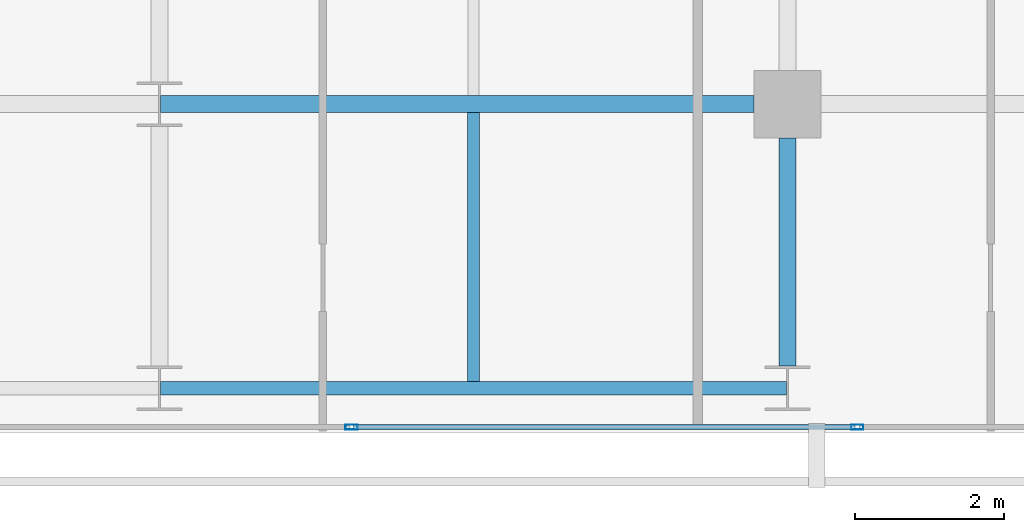
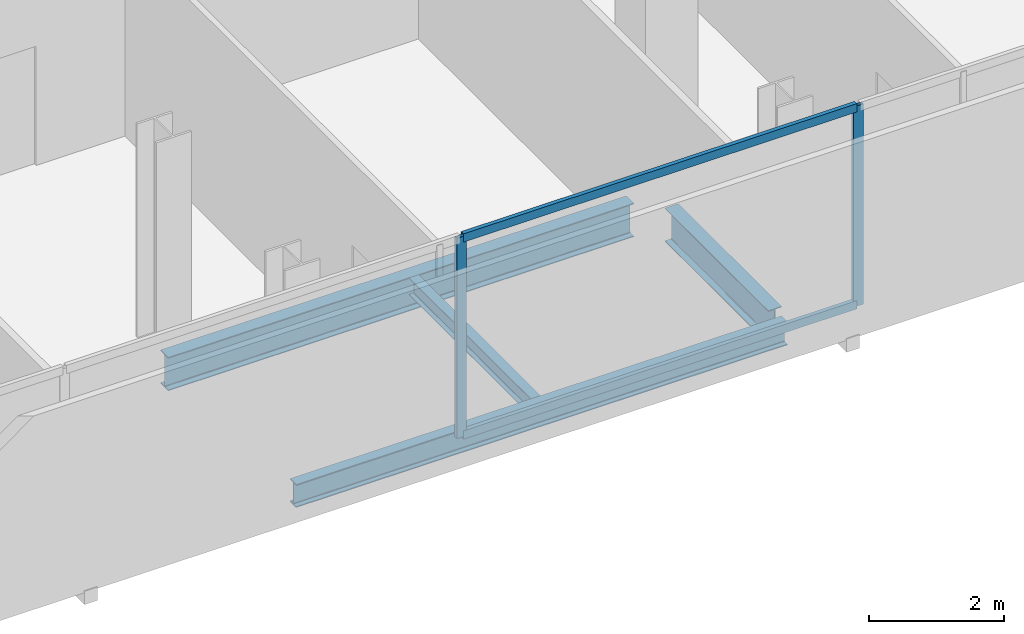
# One storey, part 12 of 34: 4 beams, 4 members, 1 element without a shape of its own.
"""IFC4 building model written with IfcOpenShell, lengths in metres."""

import ifcopenshell
import ifcopenshell.guid

model = None  # the IFC model being written
_history = None  # IfcOwnerHistory: only IFC2X3 demands one
_inside = {}  # id of a spatial element -> (the spatial element, [elements in it])
_under = {}  # id of a project, library or spatial element -> (it, [spatial elements below it])
_declared = {}  # id of a project -> (the project, [libraries it declares])
_typed = {}  # id of a type object -> (the type object, [elements of that type])
_made_of = {}  # id of a material, layer set ... -> (it, [elements and type objects made of it])


def new_model(schema):
    """Start an empty IFC model of exactly this schema.

    Asked for "IFC4X3", IfcOpenShell would pick the latest addendum, in which some entities
    have other attributes; the version numbers below select the first issue.
    IFC2X3 requires an IfcOwnerHistory on every rooted entity: one is made here for all.
    """
    global model, _history
    if schema == "IFC4X3":
        model = ifcopenshell.file(schema_version=(4, 3, 0, 0))
    else:
        model = ifcopenshell.file(schema=schema)
    _inside.clear()
    _under.clear()
    _declared.clear()
    _typed.clear()
    _made_of.clear()
    _history = None
    if model.schema == "IFC2X3":
        org = make("IfcOrganization", Name="unknown")
        user = make(
            "IfcPersonAndOrganization",
            ThePerson=make("IfcPerson", FamilyName="unknown"),
            TheOrganization=org,
        )
        app = make(
            "IfcApplication",
            ApplicationDeveloper=org,
            Version="unknown",
            ApplicationFullName="unknown",
            ApplicationIdentifier="unknown",
        )
        _history = make(
            "IfcOwnerHistory",
            OwningUser=user,
            OwningApplication=app,
            ChangeAction="ADDED",
            CreationDate=0,
        )
    return model


def make(cls, **values):
    """One entity of the class cls with the attributes given. An attribute that is None is left unset."""
    return model.create_entity(
        cls, **{name: value for name, value in values.items() if value is not None}
    )


def rooted(cls, **values):
    """An entity with a GlobalId (a new one), such as an element, a storey or a relation."""
    return make(cls, GlobalId=ifcopenshell.guid.new(), OwnerHistory=_history, **values)


def si_unit(unit_type, name, prefix=None):
    """IfcSIUnit, for example si_unit("LENGTHUNIT", "METRE", prefix="MILLI")."""
    return make("IfcSIUnit", UnitType=unit_type, Prefix=prefix, Name=name)


def assignment(units):
    """IfcUnitAssignment: the units of a project."""
    return None if units is None else make("IfcUnitAssignment", Units=units)


def point(xyz):
    """IfcCartesianPoint."""
    return None if xyz is None else make("IfcCartesianPoint", Coordinates=xyz)


def direction(xyz):
    """IfcDirection."""
    return None if xyz is None else make("IfcDirection", DirectionRatios=xyz)


def frame(location, z_axis=None, x_axis=None):
    """IfcAxis2Placement3D, a coordinate frame: its origin and axes. An axis left out is left unset."""
    return make(
        "IfcAxis2Placement3D",
        Location=point(location),
        Axis=direction(z_axis),
        RefDirection=direction(x_axis),
    )


def frame_2d(location, x_axis=None):
    """IfcAxis2Placement2D, a coordinate frame in the plane: its origin and x axis."""
    return make(
        "IfcAxis2Placement2D", Location=point(location), RefDirection=direction(x_axis)
    )


def origin():
    """The frame at (0, 0, 0) with its axes left unset."""
    return frame((0.0, 0.0, 0.0))


def origin_2d():
    """The frame at (0, 0) in the plane with its x axis left unset."""
    return frame_2d((0.0, 0.0))


def place(relative_to, where):
    """IfcLocalPlacement: puts the frame where relative to a parent placement (None: the world)."""
    return make(
        "IfcLocalPlacement", PlacementRelTo=relative_to, RelativePlacement=where
    )


def context(
    kind, dimensions, precision=None, world=None, true_north=None, identifier=None
):
    """IfcGeometricRepresentationContext, for example the 3D "Model" context."""
    return make(
        "IfcGeometricRepresentationContext",
        ContextIdentifier=identifier,
        ContextType=kind,
        CoordinateSpaceDimension=dimensions,
        Precision=precision,
        WorldCoordinateSystem=world,
        TrueNorth=true_north,
    )


def subcontext(parent, identifier, kind, view, scale=None):
    """IfcGeometricRepresentationSubContext, for example "Body" below "Model"."""
    return make(
        "IfcGeometricRepresentationSubContext",
        ContextIdentifier=identifier,
        ContextType=kind,
        ParentContext=parent,
        TargetScale=scale,
        TargetView=view,
    )


def project(units=None, contexts=None):
    """IfcProject with its units and contexts."""
    return rooted(
        "IfcProject",
        Name="project",
        RepresentationContexts=contexts,
        UnitsInContext=assignment(units),
    )


def spatial(cls, under=None, at=None, **own):
    """A site, building, storey or space (cls), placed at a placement, below another one or the project."""
    s = rooted(cls, ObjectPlacement=at, **own)
    if under is not None:
        _under.setdefault(under.id(), (under, []))[1].append(s)
    return s


def profile(cls, at=None, kind="AREA", **sizes):
    """A parametric profile (cls). Its sizes go by their IFC names, for example OverallWidth=200.0."""
    return make(cls, ProfileType=kind, Position=at, **sizes)


def hollow_rectangle(**sizes):
    """IfcRectangleHollowProfileDef."""
    return profile("IfcRectangleHollowProfileDef", **sizes)


def i_section(**sizes):
    """IfcIShapeProfileDef."""
    return profile("IfcIShapeProfileDef", **sizes)


def extrude(swept, where, along, depth):
    """IfcExtrudedAreaSolid: the profile swept, set in the frame where, extruded along a direction by depth."""
    return make(
        "IfcExtrudedAreaSolid",
        SweptArea=swept,
        Position=where,
        ExtrudedDirection=direction(along),
        Depth=depth,
    )


def shape(context_of_items, identifier, shape_type, items):
    """IfcShapeRepresentation: the items that make up one representation, for example the "Body"."""
    return make(
        "IfcShapeRepresentation",
        ContextOfItems=context_of_items,
        RepresentationIdentifier=identifier,
        RepresentationType=shape_type,
        Items=items,
    )


def material(Name=None, Category=None):
    """IfcMaterial."""
    return make("IfcMaterial", Name=Name, Category=Category)


def layer(
    of_material, thickness, ventilated=None, Name=None, Category=None, Priority=None
):
    """IfcMaterialLayer: one layer of a wall or slab, of a material (None: an air gap)."""
    return make(
        "IfcMaterialLayer",
        Material=of_material,
        LayerThickness=thickness,
        IsVentilated=ventilated,
        Name=Name,
        Category=Category,
        Priority=Priority,
    )


def layer_set(layers, Name=None):
    """IfcMaterialLayerSet."""
    return make("IfcMaterialLayerSet", MaterialLayers=layers, LayerSetName=Name)


def material_profile(
    of_material, cross_section, Name=None, Category=None, Priority=None
):
    """IfcMaterialProfile: a cross section and its material."""
    return make(
        "IfcMaterialProfile",
        Name=Name,
        Material=of_material,
        Profile=cross_section,
        Priority=Priority,
        Category=Category,
    )


def profile_set(profiles, Name=None, composite=None):
    """IfcMaterialProfileSet."""
    return make(
        "IfcMaterialProfileSet",
        Name=Name,
        MaterialProfiles=profiles,
        CompositeProfile=composite,
    )


def made_of(thing, what):
    """Note that an element or type object is made of a material, layer set ...; save() writes the relation."""
    if what is not None:
        _made_of.setdefault(what.id(), (what, []))[1].append(thing)
    return thing


def type_object(cls, material=None, **own):
    """A type object (cls), such as IfcWallType, which elements share."""
    return made_of(rooted(cls, **own), material)


def element(
    cls,
    number,
    at=None,
    inside=None,
    cuts=None,
    type_object=None,
    material=None,
    context=None,
    identifier="Body",
    shape_type=None,
    held_by="IfcProductDefinitionShape",
    body=None,
    shapes=None,
    **own,
):
    """One element of the class cls, such as IfcWall. Its Tag is "e" and its number.

    at: its placement. inside: the storey or other place that contains it. cuts: it is an
    opening in that element (IfcRelVoidsElement). A single representation is given by context,
    identifier, shape_type and body (its items); several are given by shapes. held_by: the class
    of the entity that holds the representations. save() writes the other relations.
    """
    e = rooted(cls, Tag="e%d" % number, ObjectPlacement=at, **own)
    if body is not None:
        shapes = [shape(context, identifier, shape_type, body)]
    if shapes is not None:
        e.Representation = make(held_by, Representations=shapes)
    if inside is not None:
        _inside.setdefault(inside.id(), (inside, []))[1].append(e)
    if cuts is not None:
        rooted(
            "IfcRelVoidsElement", RelatingBuildingElement=cuts, RelatedOpeningElement=e
        )
    if type_object is not None:
        _typed.setdefault(type_object.id(), (type_object, []))[1].append(e)
    return made_of(e, material)


def aggregate(whole, parts):
    """IfcRelAggregates: a whole, such as a stair, and the parts it consists of."""
    return rooted("IfcRelAggregates", RelatingObject=whole, RelatedObjects=parts)


def save(model, path):
    """Write the relations noted so far, then the file.

    IfcRelAggregates (storeys below a building ...), IfcRelContainedInSpatialStructure (elements
    in a storey), IfcRelDefinesByType, IfcRelAssociatesMaterial and IfcRelDeclares: one each for
    every whole, place, type object, material and project.
    """
    for whole, parts in _under.values():
        aggregate(whole, parts)
    for where, things in _inside.values():
        rooted(
            "IfcRelContainedInSpatialStructure",
            RelatedElements=things,
            RelatingStructure=where,
        )
    for kind, things in _typed.values():
        rooted("IfcRelDefinesByType", RelatedObjects=things, RelatingType=kind)
    for what, things in _made_of.values():
        rooted("IfcRelAssociatesMaterial", RelatedObjects=things, RelatingMaterial=what)
    for by, libraries in _declared.values():
        rooted("IfcRelDeclares", RelatingContext=by, RelatedDefinitions=libraries)
    model.write(path)


model = new_model("IFC4")

# Units and contexts
model_context = context("Model", 3, precision=1e-05, world=origin(), true_north=direction((0.0, 1.0)))
body_context = subcontext(model_context, "Body", "Model", "MODEL_VIEW")
ifc_project = project(units=[si_unit("LENGTHUNIT", "METRE"), si_unit("AREAUNIT", "SQUARE_METRE"), si_unit("VOLUMEUNIT", "CUBIC_METRE"), si_unit("PLANEANGLEUNIT", "RADIAN"), si_unit("MASSUNIT", "GRAM", prefix="KILO")], contexts=[model_context])

# Site, building, storey
site_placement = place(None, origin())
site = spatial("IfcSite", under=ifc_project, at=site_placement, CompositionType="ELEMENT")
building_placement = place(site_placement, origin())
building = spatial("IfcBuilding", under=site, at=building_placement, Name="Maruvema Waterfront Hotel and Observation Tower", CompositionType="ELEMENT")
storey_placement = place(building_placement, frame((0.0, 0.0, 189.0)))
storey = spatial("IfcBuildingStorey", under=building, at=storey_placement, Name="L46", CompositionType="ELEMENT", Elevation=189.0)

# Curtain wall, members
ifc_material_1 = material(Name="Anodised bronze aluminium and solar-control low-E IGU", Category="aluminium")
ifc_layer = layer(ifc_material_1, 0.159912109375, Name="Zone 2 Amber Inner Thermal Curtain Wall System CW-03")
ifc_layer_set = layer_set([ifc_layer], Name="Anodised bronze aluminium and solar-control low-E IGU")
curtain_wall_type = type_object("IfcCurtainWallType", Name="Zone 2 Amber Inner Thermal Curtain Wall System CW-03", PredefinedType="USERDEFINED", material=ifc_layer_set)
curtain_wall_placement = place(storey_placement, origin())
curtain_wall = element("IfcCurtainWall", 1, at=curtain_wall_placement, inside=storey, type_object=curtain_wall_type, Name="L46 Curtain Wall CW-L46-S", ObjectType="UNITISED CURTAIN WALL", PredefinedType="USERDEFINED")
ifc_material_2 = material(Name="Anodised architectural bronze aluminium", Category="aluminium")
ifc_material_profile_1 = material_profile(ifc_material_2, hollow_rectangle(XDim=0.070068359375, YDim=0.14990234375, WallThickness=0.00390625, at=origin_2d()), Name="ALU-T70x150")
ifc_profile_set_1 = profile_set([ifc_material_profile_1], Name="Anodised architectural bronze aluminium")
member_type_1 = type_object("IfcMemberType", Name="Curtain Wall Horizontal Transom ALU-T70x150", PredefinedType="USERDEFINED", material=ifc_profile_set_1)
member_1_placement = place(storey_placement, frame((44.5966796875, 4.679931640625, 0.030029296875), z_axis=(1.0, 0.0, 0.0), x_axis=(0.0, 1.0, 0.0)))
member_1 = element("IfcMember", 2, at=member_1_placement, type_object=member_type_1, Name="CW-03 transom 5.1", ObjectType="TRANSOM", PredefinedType="USERDEFINED", context=body_context, shape_type="SweptSolid", body=[
    extrude(hollow_rectangle(XDim=0.070068359375, YDim=0.14990234375, WallThickness=0.00390625, at=origin_2d()), origin(), (0.0, 0.0, 1.0), 6.70654296875),
])
member_2_placement = place(storey_placement, frame((44.5966796875, 4.679931640625, 3.580078125), z_axis=(1.0, 0.0, 0.0), x_axis=(0.0, 1.0, 0.0)))
member_2 = element("IfcMember", 3, at=member_2_placement, type_object=member_type_1, Name="CW-03 transom 5.2", ObjectType="TRANSOM", PredefinedType="USERDEFINED", context=body_context, shape_type="SweptSolid", body=[
    extrude(hollow_rectangle(XDim=0.070068359375, YDim=0.14990234375, WallThickness=0.00390625, at=origin_2d()), origin(), (0.0, 0.0, 1.0), 6.70654296875),
])
ifc_material_3 = material(Name="Anodised architectural bronze aluminium", Category="aluminium")
ifc_material_profile_2 = material_profile(ifc_material_3, hollow_rectangle(XDim=0.06494140625, YDim=0.1650390625, WallThickness=0.00390625, at=origin_2d()), Name="ALU-M65x165")
ifc_profile_set_2 = profile_set([ifc_material_profile_2], Name="Anodised architectural bronze aluminium")
member_type_2 = type_object("IfcMemberType", Name="Curtain Wall Primary Mullion ALU-M65x165", PredefinedType="MULLION", material=ifc_profile_set_2)
member_3_placement = place(storey_placement, frame((44.566650390625, 4.679931640625, 0.0), z_axis=(0.0, 0.0, 1.0), x_axis=(0.0, 1.0, 0.0)))
member_3 = element("IfcMember", 4, at=member_3_placement, type_object=member_type_2, Name="CW-03 mullion 5", PredefinedType="MULLION", context=body_context, shape_type="SweptSolid", body=[
    extrude(hollow_rectangle(XDim=0.06494140625, YDim=0.1650390625, WallThickness=0.00390625, at=origin_2d()), origin(), (0.0, 0.0, 1.0), 3.610107421875),
])
member_4_placement = place(storey_placement, frame((51.333251953125, 4.679931640625, 0.0), z_axis=(0.0, 0.0, 1.0), x_axis=(0.0, 1.0, 0.0)))
member_4 = element("IfcMember", 5, at=member_4_placement, type_object=member_type_2, Name="CW-03 mullion 6", PredefinedType="MULLION", context=body_context, shape_type="SweptSolid", body=[
    extrude(hollow_rectangle(XDim=0.06494140625, YDim=0.1650390625, WallThickness=0.00390625, at=origin_2d()), origin(), (0.0, 0.0, 1.0), 3.610107421875),
])
aggregate(curtain_wall, [member_3, member_4, member_1, member_2])

# Beams
ifc_material_4 = material(Name="Steel ASTM A572 Grade 50", Category="steel")
ifc_material_profile_3 = material_profile(ifc_material_4, i_section(OverallWidth=0.180908203125, OverallDepth=0.4169921875, WebThickness=0.010986328125, FlangeThickness=0.018310546875, FilletRadius=0.014892578125, at=origin_2d()), Name="W410x85.0")
ifc_profile_set_3 = profile_set([ifc_material_profile_3], Name="Steel ASTM A572 Grade 50")
beam_type_1 = type_object("IfcBeamType", Name="Perimeter Spandrel Beam W410x85.0", PredefinedType="SPANDREL", material=ifc_profile_set_3)
beam_1_placement = place(storey_placement, frame((42.012451171875, 5.199951171875, -0.448486328125), z_axis=(1.0, 0.0, 0.0), x_axis=(0.0, 1.0, 0.0)))
element("IfcBeam", 6, at=beam_1_placement, inside=storey, type_object=beam_type_1, Name="L46 Floor Girder EW-03", PredefinedType="SPANDREL", context=body_context, shape_type="SweptSolid", body=[
    extrude(i_section(OverallWidth=0.180908203125, OverallDepth=0.4169921875, WebThickness=0.010986328125, FlangeThickness=0.018310546875, FilletRadius=0.014892578125, at=origin_2d()), origin(), (0.0, 0.0, 1.0), 8.375),
])
ifc_material_5 = material(Name="Steel ASTM A572 Grade 50", Category="steel")
ifc_material_profile_4 = material_profile(ifc_material_5, i_section(OverallWidth=0.22802734375, OverallDepth=0.60302734375, WebThickness=0.010498046875, FlangeThickness=0.014892578125, FilletRadius=0.01806640625, at=origin_2d()), Name="W610x101.0")
ifc_profile_set_4 = profile_set([ifc_material_profile_4], Name="Steel ASTM A572 Grade 50")
beam_type_2 = type_object("IfcBeamType", Name="Primary Floor Girder W610x101.0", PredefinedType="BEAM", material=ifc_profile_set_4)
beam_2_placement = place(storey_placement, frame((42.012451171875, 9.0, -0.54150390625), z_axis=(1.0, 0.0, 0.0), x_axis=(0.0, 1.0, 0.0)))
element("IfcBeam", 7, at=beam_2_placement, inside=storey, type_object=beam_type_2, Name="L46 Floor Girder EW-08", PredefinedType="BEAM", context=body_context, shape_type="SweptSolid", body=[
    extrude(i_section(OverallWidth=0.22802734375, OverallDepth=0.60302734375, WebThickness=0.010498046875, FlangeThickness=0.014892578125, FilletRadius=0.01806640625, at=origin_2d()), origin(), (0.0, 0.0, 1.0), 7.9375),
])
beam_3_placement = place(storey_placement, frame((50.39990234375, 5.5, -0.54150390625), z_axis=(0.0, 1.0, 0.0), x_axis=(-1.0, 0.0, 0.0)))
element("IfcBeam", 8, at=beam_3_placement, inside=storey, type_object=beam_type_2, Name="L46 Floor Girder NS-20", PredefinedType="BEAM", context=body_context, shape_type="SweptSolid", body=[
    extrude(i_section(OverallWidth=0.22802734375, OverallDepth=0.60302734375, WebThickness=0.010498046875, FlangeThickness=0.014892578125, FilletRadius=0.01806640625, at=origin_2d()), origin(), (0.0, 0.0, 1.0), 3.050048828125),
])
ifc_material_6 = material(Name="Steel ASTM A572 Grade 50", Category="steel")
ifc_material_profile_5 = material_profile(ifc_material_6, i_section(OverallWidth=0.1650390625, OverallDepth=0.31005859375, WebThickness=0.005859375, FlangeThickness=0.009765625, FilletRadius=0.012939453125, at=origin_2d()), Name="W310x38.7")
ifc_profile_set_5 = profile_set([ifc_material_profile_5], Name="Steel ASTM A572 Grade 50")
beam_type_3 = type_object("IfcBeamType", Name="Secondary Floor Joist W310x38.7", PredefinedType="JOIST", material=ifc_profile_set_5)
beam_4_placement = place(storey_placement, frame((46.199951171875, 5.29052734375, -0.39501953125), z_axis=(0.0, 1.0, 0.0), x_axis=(-1.0, 0.0, 0.0)))
element("IfcBeam", 9, at=beam_4_placement, inside=storey, type_object=beam_type_3, Name="L46 Secondary Floor Joist JS-09", PredefinedType="JOIST", context=body_context, shape_type="SweptSolid", body=[
    extrude(i_section(OverallWidth=0.1650390625, OverallDepth=0.31005859375, WebThickness=0.005859375, FlangeThickness=0.009765625, FilletRadius=0.012939453125, at=origin_2d()), origin(), (0.0, 0.0, 1.0), 3.595458984375),
])

save(model, "model.ifc")
